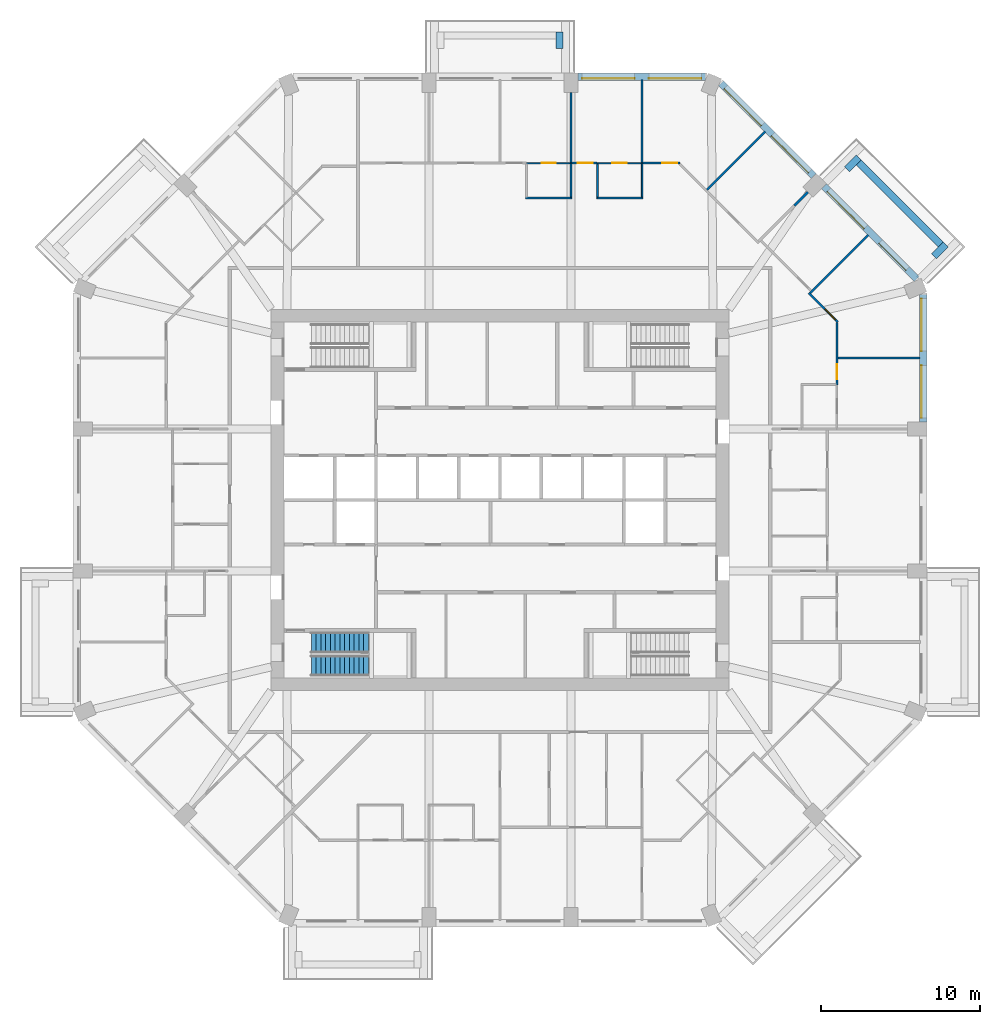
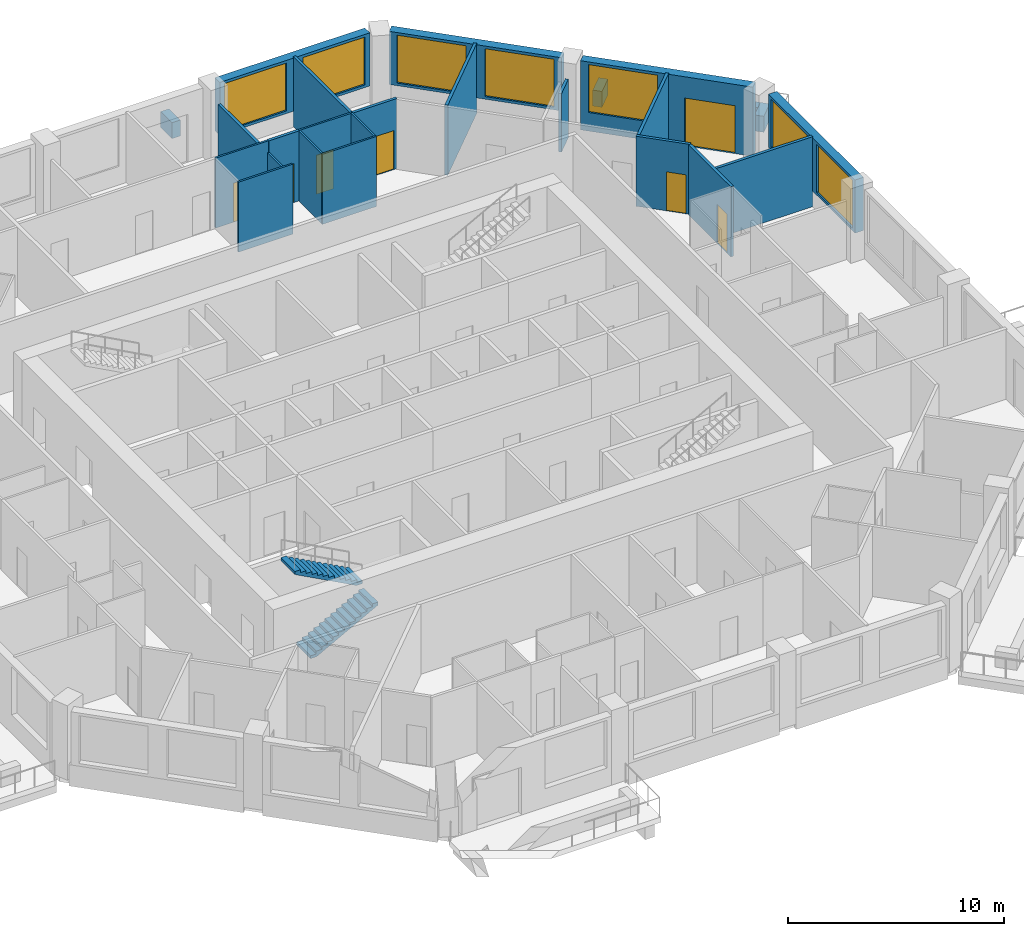
# One storey, part 10 of 12: 25 walls, 7 doors, 7 windows, 2 stair flights, 14 openings, 1 element without a shape of its own.
"""IFC4 building model written with IfcOpenShell, lengths in metres."""

from ifc_helpers import new_model, si_unit, direction, frame, frame_2d, origin, place, context, subcontext, project, spatial, polyline, rectangle, outline, extrude, material, layer, layer_set, type_object, element, fill, aggregate, save


model = new_model("IFC4")

# Units and contexts
model_context = context("Model", 3, precision=1e-05, world=origin(), true_north=direction((0.0, 1.0)))
body_context = subcontext(model_context, "Body", "Model", "MODEL_VIEW")
ifc_project = project(units=[si_unit("LENGTHUNIT", "METRE"), si_unit("AREAUNIT", "SQUARE_METRE"), si_unit("VOLUMEUNIT", "CUBIC_METRE"), si_unit("PLANEANGLEUNIT", "RADIAN"), si_unit("MASSUNIT", "GRAM", prefix="KILO")], contexts=[model_context])

# Site, building, storey
site_placement = place(None, origin())
site = spatial("IfcSite", under=ifc_project, at=site_placement, CompositionType="ELEMENT")
building_placement = place(site_placement, origin())
building = spatial("IfcBuilding", under=site, at=building_placement, Name="Msitu Wima Residences", CompositionType="ELEMENT")
storey_placement = place(building_placement, frame((0.0, 0.0, 127.5)))
storey = spatial("IfcBuildingStorey", under=building, at=storey_placement, Name="L29", CompositionType="ELEMENT", Elevation=127.5)

# Walls
ifc_material_1 = material(Name="Facing brick")
ifc_layer_1 = layer(ifc_material_1, 0.06494140625, Name="Facing brick")
ifc_material_2 = material(Name="Concrete C40/50", Category="concrete")
ifc_layer_2 = layer(ifc_material_2, 0.156005859375, Name="Concrete C40/50")
ifc_material_3 = material(Name="Waterproofing membrane")
ifc_layer_3 = layer(ifc_material_3, 0.00390625, Name="Waterproofing membrane")
ifc_material_4 = material(Name="Planting soil and planting")
ifc_layer_4 = layer(ifc_material_4, 0.22509765625, Name="Planting soil and planting")
ifc_layer_set_1 = layer_set([ifc_layer_1, ifc_layer_2, ifc_layer_3, ifc_layer_4], Name="Concrete C40/50")
wall_type_1 = type_object("IfcWallType", Name="Balcony planter PLANTER PL450", PredefinedType="USERDEFINED", material=ifc_layer_set_1)
wall_1_placement = place(storey_placement, frame((27.725830078125, 16.0751953125, 0.0), z_axis=(0.0, 0.0, 1.0), x_axis=(-0.707106781187, 0.707106781187, 0.0)))
element("IfcWall", 1, at=wall_1_placement, inside=storey, type_object=wall_type_1, Name="Balcony planter NE0 L29", ObjectType="PLANTER", PredefinedType="USERDEFINED", context=body_context, shape_type="SweptSolid", body=[
    extrude(rectangle(XDim=7.288330078125, YDim=0.449951171875, at=frame_2d((3.64404296875, 0.0))), origin(), (0.0, 0.0, 1.0), 0.89990234375),
])
for number, where, z_axis, x_axis, name in (
    (2, (27.301513671875, 15.332763671875, 0.0), (0.0, 0.0, 1.0), (0.707106781187, 0.707106781187, 0.0), "Balcony planter NE0 L29"),
    (3, (21.829833984375, 20.804443359375, 0.0), (0.0, 0.0, 1.0), (0.707106781187, 0.707106781187, 0.0), "Balcony planter NE0 L29"),
    (4, (3.74365234375, 28.39990234375, 0.0), (0.0, 0.0, 1.0), (0.0, 1.0, 0.0), "Balcony planter N1 L29"),
):
    element("IfcWall", number, at=place(storey_placement, frame(where, z_axis=z_axis, x_axis=x_axis)), inside=storey, type_object=wall_type_1, Name=name, ObjectType="PLANTER", PredefinedType="USERDEFINED", context=body_context, shape_type="SweptSolid", body=[
        extrude(rectangle(XDim=1.050048828125, YDim=0.449951171875, at=frame_2d((0.52490234375, 0.0))), origin(), (0.0, 0.0, 1.0), 0.89990234375),
    ])

# Wall, openings, windows
ifc_material_5 = material(Name="Brick (red buff mix)", Category="masonry")
ifc_layer_5 = layer(ifc_material_5, 0.449951171875)
ifc_layer_set_2 = layer_set([ifc_layer_5], Name="Brick (red buff mix)")
wall_type_2 = type_object("IfcWallType", Name="Brick infill wall BW450", PredefinedType="SOLIDWALL", material=ifc_layer_set_2)
wall_2_placement = place(storey_placement, frame((26.625, 4.918701171875, 0.89990234375), z_axis=(0.0, 0.0, 1.0), x_axis=(0.0, 1.0, 0.0)))
wall_2 = element("IfcWall", 5, at=wall_2_placement, inside=storey, type_object=wall_type_2, Name="Brick infill wall L29 E2", PredefinedType="SOLIDWALL", context=body_context, shape_type="SweptSolid", body=[
    extrude(rectangle(XDim=8.0, YDim=0.449951171875, at=frame_2d((4.0, 0.0))), origin(), (0.0, 0.0, 1.0), 3.0),
])
opening_1_placement = place(wall_2_placement, frame((0.25, 0.0, 0.14990234375)))
opening_1 = element("IfcOpeningElement", 6, at=opening_1_placement, cuts=wall_2, Name="Opening W27-29.004", PredefinedType="OPENING", context=body_context, shape_type="SweptSolid", body=[
    extrude(rectangle(XDim=3.300048828125, YDim=2.699951171875, at=frame_2d((1.64990234375, 1.35009765625))), frame((0.0, 0.23486328125, 0.0), z_axis=(0.0, -1.0, 0.0), x_axis=(1.0, 0.0, 0.0)), (0.0, 0.0, 1.0), 0.469970703125),
])
opening_2_placement = place(wall_2_placement, frame((4.4501953125, 0.0, 0.14990234375)))
opening_2 = element("IfcOpeningElement", 7, at=opening_2_placement, cuts=wall_2, Name="Opening W27-29.005", PredefinedType="OPENING", context=body_context, shape_type="SweptSolid", body=[
    extrude(rectangle(XDim=3.300048828125, YDim=2.699951171875, at=frame_2d((1.64990234375, 1.35009765625))), frame((0.0, 0.23486328125, 0.0), z_axis=(0.0, -1.0, 0.0), x_axis=(1.0, 0.0, 0.0)), (0.0, 0.0, 1.0), 0.469970703125),
])
ifc_material_6 = material(Name="Anodised aluminium, bronze finish, clear low-emissivity double glazing", Category="aluminium")
window_type = type_object("IfcWindowType", Name="Window W3300x2700", PartitioningType="DOUBLE_PANEL_VERTICAL", PredefinedType="WINDOW", material=ifc_material_6)
window_1_placement = place(opening_1_placement, origin())
window_1 = element("IfcWindow", 8, at=window_1_placement, inside=storey, type_object=window_type, Name="Window L29 E2.1", OverallHeight=2.699951171875, OverallWidth=3.300048828125, PartitioningType="SINGLE_PANEL", PredefinedType="WINDOW", context=body_context, shape_type="SweptSolid", body=[
    extrude(rectangle(XDim=3.300048828125, YDim=2.699951171875, at=frame_2d((1.64990234375, 1.35009765625))), frame((0.0, 0.135009765625, 0.0), z_axis=(0.0, -1.0, 0.0), x_axis=(1.0, 0.0, 0.0)), (0.0, 0.0, 1.0), 0.06005859375),
])
fill(opening_1, window_1)
window_2_placement = place(opening_2_placement, origin())
window_2 = element("IfcWindow", 9, at=window_2_placement, inside=storey, type_object=window_type, Name="Window L29 E2.2", OverallHeight=2.699951171875, OverallWidth=3.300048828125, PartitioningType="SINGLE_PANEL", PredefinedType="WINDOW", context=body_context, shape_type="SweptSolid", body=[
    extrude(rectangle(XDim=3.300048828125, YDim=2.699951171875, at=frame_2d((1.64990234375, 1.35009765625))), frame((0.0, 0.135009765625, 0.0), z_axis=(0.0, -1.0, 0.0), x_axis=(1.0, 0.0, 0.0)), (0.0, 0.0, 1.0), 0.06005859375),
])
fill(opening_2, window_2)

# Wall, openings, door, window
wall_3_placement = place(storey_placement, frame((26.214599609375, 13.909423828125, 0.0), z_axis=(0.0, 0.0, 1.0), x_axis=(-0.707106781187, 0.707106781187, 0.0)))
wall_3 = element("IfcWall", 10, at=wall_3_placement, inside=storey, type_object=wall_type_2, Name="Brick infill wall L29 NE0", PredefinedType="SOLIDWALL", context=body_context, shape_type="SweptSolid", body=[
    extrude(rectangle(XDim=8.251220703125, YDim=0.449951171875, at=frame_2d((4.12548828125, 0.0))), origin(), (0.0, 0.0, 1.0), 3.89990234375),
])
opening_3_placement = place(wall_3_placement, frame((0.86279296875, 0.0, 0.0)))
opening_3 = element("IfcOpeningElement", 11, at=opening_3_placement, cuts=wall_3, Name="Opening D27-29.003", PredefinedType="OPENING", context=body_context, shape_type="SweptSolid", body=[
    extrude(rectangle(XDim=2.39990234375, YDim=2.699951171875, at=frame_2d((1.199951171875, 1.35009765625))), frame((0.0, 0.23486328125, 0.0), z_axis=(0.0, -1.0, 0.0), x_axis=(1.0, 0.0, 0.0)), (0.0, 0.0, 1.0), 0.469970703125),
])
opening_4_placement = place(wall_3_placement, frame((4.57568359375, 0.0, 1.050048828125)))
opening_4 = element("IfcOpeningElement", 12, at=opening_4_placement, cuts=wall_3, Name="Opening W27-29.011", PredefinedType="OPENING", context=body_context, shape_type="SweptSolid", body=[
    extrude(rectangle(XDim=3.300048828125, YDim=2.699951171875, at=frame_2d((1.64990234375, 1.35009765625))), frame((0.0, 0.23486328125, 0.0), z_axis=(0.0, -1.0, 0.0), x_axis=(1.0, 0.0, 0.0)), (0.0, 0.0, 1.0), 0.469970703125),
])
door_type_1 = type_object("IfcDoorType", Name="Balcony door D2400x2700", OperationType="SLIDING_TO_LEFT", PredefinedType="DOOR", material=ifc_material_6)
door_1_placement = place(opening_3_placement, origin())
door_1 = element("IfcDoor", 13, at=door_1_placement, inside=storey, type_object=door_type_1, Name="Balcony door L29 NE0", OperationType="SINGLE_SWING_LEFT", OverallHeight=2.699951171875, OverallWidth=2.39990234375, PredefinedType="DOOR", context=body_context, shape_type="SweptSolid", body=[
    extrude(rectangle(XDim=2.39990234375, YDim=2.699951171875, at=frame_2d((1.199951171875, 1.35009765625))), frame((0.0, 0.1298828125, 0.0), z_axis=(0.0, -1.0, 0.0), x_axis=(1.0, 0.0, 0.0)), (0.0, 0.0, 1.0), 0.050048828125),
])
fill(opening_3, door_1)
window_3_placement = place(opening_4_placement, origin())
window_3 = element("IfcWindow", 14, at=window_3_placement, inside=storey, type_object=window_type, Name="Window L29 NE0.2", OverallHeight=2.699951171875, OverallWidth=3.300048828125, PartitioningType="SINGLE_PANEL", PredefinedType="WINDOW", context=body_context, shape_type="SweptSolid", body=[
    extrude(rectangle(XDim=3.300048828125, YDim=2.699951171875, at=frame_2d((1.64990234375, 1.35009765625))), frame((0.0, 0.135009765625, 0.0), z_axis=(0.0, -1.0, 0.0), x_axis=(1.0, 0.0, 0.0)), (0.0, 0.0, 1.0), 0.06005859375),
])
fill(opening_4, window_3)

# Wall, openings, windows
wall_4_placement = place(storey_placement, frame((19.743896484375, 20.380126953125, 0.89990234375), z_axis=(0.0, 0.0, 1.0), x_axis=(-0.707106781187, 0.707106781187, 0.0)))
wall_4 = element("IfcWall", 15, at=wall_4_placement, inside=storey, type_object=wall_type_2, Name="Brick infill wall L29 NE1", PredefinedType="SOLIDWALL", context=body_context, shape_type="SweptSolid", body=[
    extrude(rectangle(XDim=8.251220703125, YDim=0.449951171875, at=frame_2d((4.12548828125, 0.0))), origin(), (0.0, 0.0, 1.0), 3.0),
])
opening_5_placement = place(wall_4_placement, frame((0.37548828125, 0.0, 0.14990234375)))
opening_5 = element("IfcOpeningElement", 16, at=opening_5_placement, cuts=wall_4, Name="Opening W27-29.012", PredefinedType="OPENING", context=body_context, shape_type="SweptSolid", body=[
    extrude(rectangle(XDim=3.300048828125, YDim=2.699951171875, at=frame_2d((1.64990234375, 1.35009765625))), frame((0.0, 0.23486328125, 0.0), z_axis=(0.0, -1.0, 0.0), x_axis=(1.0, 0.0, 0.0)), (0.0, 0.0, 1.0), 0.469970703125),
])
opening_6_placement = place(wall_4_placement, frame((4.57568359375, 0.0, 0.14990234375)))
opening_6 = element("IfcOpeningElement", 17, at=opening_6_placement, cuts=wall_4, Name="Opening W27-29.013", PredefinedType="OPENING", context=body_context, shape_type="SweptSolid", body=[
    extrude(rectangle(XDim=3.300048828125, YDim=2.699951171875, at=frame_2d((1.64990234375, 1.35009765625))), frame((0.0, 0.23486328125, 0.0), z_axis=(0.0, -1.0, 0.0), x_axis=(1.0, 0.0, 0.0)), (0.0, 0.0, 1.0), 0.469970703125),
])
window_4_placement = place(opening_5_placement, origin())
window_4 = element("IfcWindow", 18, at=window_4_placement, inside=storey, type_object=window_type, Name="Window L29 NE1.1", OverallHeight=2.699951171875, OverallWidth=3.300048828125, PartitioningType="SINGLE_PANEL", PredefinedType="WINDOW", context=body_context, shape_type="SweptSolid", body=[
    extrude(rectangle(XDim=3.300048828125, YDim=2.699951171875, at=frame_2d((1.64990234375, 1.35009765625))), frame((0.0, 0.135009765625, 0.0), z_axis=(0.0, -1.0, 0.0), x_axis=(1.0, 0.0, 0.0)), (0.0, 0.0, 1.0), 0.06005859375),
])
fill(opening_5, window_4)
window_5_placement = place(opening_6_placement, origin())
window_5 = element("IfcWindow", 19, at=window_5_placement, inside=storey, type_object=window_type, Name="Window L29 NE1.2", OverallHeight=2.699951171875, OverallWidth=3.300048828125, PartitioningType="SINGLE_PANEL", PredefinedType="WINDOW", context=body_context, shape_type="SweptSolid", body=[
    extrude(rectangle(XDim=3.300048828125, YDim=2.699951171875, at=frame_2d((1.64990234375, 1.35009765625))), frame((0.0, 0.135009765625, 0.0), z_axis=(0.0, -1.0, 0.0), x_axis=(1.0, 0.0, 0.0)), (0.0, 0.0, 1.0), 0.06005859375),
])
fill(opening_6, window_5)

wall_5_placement = place(storey_placement, frame((12.918701171875, 26.625, 0.89990234375), z_axis=(0.0, 0.0, 1.0), x_axis=(-1.0, 0.0, 0.0)))
wall_5 = element("IfcWall", 20, at=wall_5_placement, inside=storey, type_object=wall_type_2, Name="Brick infill wall L29 N0", PredefinedType="SOLIDWALL", context=body_context, shape_type="SweptSolid", body=[
    extrude(rectangle(XDim=8.0, YDim=0.449951171875, at=frame_2d((4.0, 0.0))), origin(), (0.0, 0.0, 1.0), 3.0),
])
opening_7_placement = place(wall_5_placement, frame((0.25, 0.0, 0.14990234375)))
opening_7 = element("IfcOpeningElement", 21, at=opening_7_placement, cuts=wall_5, Name="Opening W27-29.006", PredefinedType="OPENING", context=body_context, shape_type="SweptSolid", body=[
    extrude(rectangle(XDim=3.300048828125, YDim=2.699951171875, at=frame_2d((1.64990234375, 1.35009765625))), frame((0.0, 0.23486328125, 0.0), z_axis=(0.0, -1.0, 0.0), x_axis=(1.0, 0.0, 0.0)), (0.0, 0.0, 1.0), 0.469970703125),
])
opening_8_placement = place(wall_5_placement, frame((4.4501953125, 0.0, 0.14990234375)))
opening_8 = element("IfcOpeningElement", 22, at=opening_8_placement, cuts=wall_5, Name="Opening W27-29.007", PredefinedType="OPENING", context=body_context, shape_type="SweptSolid", body=[
    extrude(rectangle(XDim=3.300048828125, YDim=2.699951171875, at=frame_2d((1.64990234375, 1.35009765625))), frame((0.0, 0.23486328125, 0.0), z_axis=(0.0, -1.0, 0.0), x_axis=(1.0, 0.0, 0.0)), (0.0, 0.0, 1.0), 0.469970703125),
])
window_6_placement = place(opening_7_placement, origin())
window_6 = element("IfcWindow", 23, at=window_6_placement, inside=storey, type_object=window_type, Name="Window L29 N0.1", OverallHeight=2.699951171875, OverallWidth=3.300048828125, PartitioningType="SINGLE_PANEL", PredefinedType="WINDOW", context=body_context, shape_type="SweptSolid", body=[
    extrude(rectangle(XDim=3.300048828125, YDim=2.699951171875, at=frame_2d((1.64990234375, 1.35009765625))), frame((0.0, 0.135009765625, 0.0), z_axis=(0.0, -1.0, 0.0), x_axis=(1.0, 0.0, 0.0)), (0.0, 0.0, 1.0), 0.06005859375),
])
fill(opening_7, window_6)
window_7_placement = place(opening_8_placement, origin())
window_7 = element("IfcWindow", 24, at=window_7_placement, inside=storey, type_object=window_type, Name="Window L29 N0.2", OverallHeight=2.699951171875, OverallWidth=3.300048828125, PartitioningType="SINGLE_PANEL", PredefinedType="WINDOW", context=body_context, shape_type="SweptSolid", body=[
    extrude(rectangle(XDim=3.300048828125, YDim=2.699951171875, at=frame_2d((1.64990234375, 1.35009765625))), frame((0.0, 0.135009765625, 0.0), z_axis=(0.0, -1.0, 0.0), x_axis=(1.0, 0.0, 0.0)), (0.0, 0.0, 1.0), 0.06005859375),
])
fill(opening_8, window_7)

# Wall
ifc_material_7 = material(Name="Plaster")
ifc_layer_6 = layer(ifc_material_7, 0.011962890625, Name="Plaster")
ifc_material_8 = material(Name="Concrete blockwork", Category="masonry")
ifc_layer_7 = layer(ifc_material_8, 0.1259765625, Name="Concrete blockwork")
ifc_layer_8 = layer(ifc_material_7, 0.011962890625, Name="Plaster")
ifc_layer_set_3 = layer_set([ifc_layer_6, ifc_layer_7, ifc_layer_8], Name="Concrete blockwork")
wall_type_3 = type_object("IfcWallType", Name="Partition PW150", PredefinedType="PARTITIONING", material=ifc_layer_set_3)
wall_6_placement = place(storey_placement, frame((4.46875, 21.179931640625, 0.0), z_axis=(0.0, 0.0, 1.0), x_axis=(0.0, 1.0, 0.0)))
element("IfcWall", 25, at=wall_6_placement, inside=storey, type_object=wall_type_3, Name="Partition", PredefinedType="PARTITIONING", context=body_context, shape_type="SweptSolid", body=[
    extrude(rectangle(XDim=4.469970703125, YDim=0.14990234375, at=frame_2d((2.23486328125, 0.0))), origin(), (0.0, 0.0, 1.0), 3.300048828125),
])

# Wall, opening, door
wall_7_placement = place(storey_placement, frame((4.488525390625, 21.199951171875, 0.0), z_axis=(0.0, 0.0, 1.0), x_axis=(1.0, 0.0, 0.0)))
wall_7 = element("IfcWall", 26, at=wall_7_placement, inside=storey, type_object=wall_type_3, Name="Partition", PredefinedType="PARTITIONING", context=body_context, shape_type="SweptSolid", body=[
    extrude(rectangle(XDim=1.628662109375, YDim=0.14990234375, at=frame_2d((0.814453125, 0.0))), origin(), (0.0, 0.0, 1.0), 3.949951171875),
])
opening_9_placement = place(wall_7_placement, frame((0.39990234375, 0.0, 0.0)))
opening_9 = element("IfcOpeningElement", 27, at=opening_9_placement, cuts=wall_7, Name="Opening D27-29.081", PredefinedType="OPENING", context=body_context, shape_type="SweptSolid", body=[
    extrude(rectangle(XDim=0.949951171875, YDim=2.199951171875, at=frame_2d((0.47509765625, 1.10009765625))), frame((0.0, 0.0849609375, 0.0), z_axis=(0.0, -1.0, 0.0), x_axis=(1.0, 0.0, 0.0)), (0.0, 0.0, 1.0), 0.169921875),
])
ifc_material_9 = material(Name="Timber flush door", Category="wood")
door_type_2 = type_object("IfcDoorType", Name="Room door D12 950x2200", OperationType="SINGLE_SWING_LEFT", PredefinedType="DOOR", material=ifc_material_9)
door_2_placement = place(opening_9_placement, origin())
door_2 = element("IfcDoor", 28, at=door_2_placement, inside=storey, type_object=door_type_2, Name="Room door", OperationType="SINGLE_SWING_LEFT", OverallHeight=2.199951171875, OverallWidth=0.949951171875, PredefinedType="DOOR", context=body_context, shape_type="SweptSolid", body=[
    extrude(rectangle(XDim=0.949951171875, YDim=2.199951171875, at=frame_2d((0.47509765625, 1.10009765625))), frame((0.0, 0.02490234375, 0.0), z_axis=(0.0, -1.0, 0.0), x_axis=(1.0, 0.0, 0.0)), (0.0, 0.0, 1.0), 0.050048828125),
])
fill(opening_9, door_2)

# Wall
wall_8_placement = place(storey_placement, frame((8.937255859375, 21.179931640625, 0.0), z_axis=(0.0, 0.0, 1.0), x_axis=(0.0, 1.0, 0.0)))
element("IfcWall", 29, at=wall_8_placement, inside=storey, type_object=wall_type_3, Name="Partition", PredefinedType="PARTITIONING", context=body_context, shape_type="SweptSolid", body=[
    extrude(rectangle(XDim=5.275146484375, YDim=0.14990234375, at=frame_2d((2.6376953125, 0.0))), origin(), (0.0, 0.0, 1.0), 3.949951171875),
])

# Wall, opening, door
wall_9_placement = place(storey_placement, frame((8.957275390625, 21.199951171875, 0.0), z_axis=(0.0, 0.0, 1.0), x_axis=(1.0, 0.0, 0.0)))
wall_9 = element("IfcWall", 30, at=wall_9_placement, inside=storey, type_object=wall_type_3, Name="Partition", PredefinedType="PARTITIONING", context=body_context, shape_type="SweptSolid", body=[
    extrude(rectangle(XDim=2.36962890625, YDim=0.14990234375, at=frame_2d((1.184814453125, 0.0))), origin(), (0.0, 0.0, 1.0), 3.949951171875),
])
opening_10_placement = place(wall_9_placement, frame((1.25, 0.0, 0.0)))
opening_10 = element("IfcOpeningElement", 31, at=opening_10_placement, cuts=wall_9, Name="Opening D27-29.042", PredefinedType="OPENING", context=body_context, shape_type="SweptSolid", body=[
    extrude(rectangle(XDim=0.949951171875, YDim=2.199951171875, at=frame_2d((0.47509765625, 1.10009765625))), frame((0.0, 0.0849609375, 0.0), z_axis=(0.0, -1.0, 0.0), x_axis=(1.0, 0.0, 0.0)), (0.0, 0.0, 1.0), 0.169921875),
])
door_3_placement = place(opening_10_placement, origin())
door_3 = element("IfcDoor", 32, at=door_3_placement, inside=storey, type_object=door_type_2, Name="Room door", OperationType="SINGLE_SWING_LEFT", OverallHeight=2.199951171875, OverallWidth=0.949951171875, PredefinedType="DOOR", context=body_context, shape_type="SweptSolid", body=[
    extrude(rectangle(XDim=0.949951171875, YDim=2.199951171875, at=frame_2d((0.47509765625, 1.10009765625))), frame((0.0, 0.02490234375, 0.0), z_axis=(0.0, -1.0, 0.0), x_axis=(1.0, 0.0, 0.0)), (0.0, 0.0, 1.0), 0.050048828125),
])
fill(opening_10, door_3)

# Walls
wall_10_placement = place(storey_placement, frame((13.030517578125, 19.527587890625, 0.0), z_axis=(0.0, 0.0, 1.0), x_axis=(0.707106781187, 0.707106781187, 0.0)))
element("IfcWall", 33, at=wall_10_placement, inside=storey, type_object=wall_type_3, Name="Partition", PredefinedType="PARTITIONING", context=body_context, shape_type="SweptSolid", body=[
    extrude(rectangle(XDim=5.179931640625, YDim=0.14990234375, at=frame_2d((2.58984375, 0.0))), origin(), (0.0, 0.0, 1.0), 3.949951171875),
])
wall_11_placement = place(storey_placement, frame((18.517578125, 18.517578125, 0.0), z_axis=(0.0, 0.0, 1.0), x_axis=(0.707106781187, 0.707106781187, 0.0)))
element("IfcWall", 34, at=wall_11_placement, inside=storey, type_object=wall_type_3, Name="Partition", PredefinedType="PARTITIONING", context=body_context, shape_type="SweptSolid", body=[
    extrude(rectangle(XDim=1.209228515625, YDim=0.14990234375, at=frame_2d((0.6044921875, 0.0))), origin(), (0.0, 0.0, 1.0), 3.300048828125),
])

# Wall, opening, door
wall_12_placement = place(storey_placement, frame((19.42138671875, 13.030517578125, 0.0), z_axis=(0.0, 0.0, 1.0), x_axis=(0.707106781187, -0.707106781187, 0.0)))
wall_12 = element("IfcWall", 35, at=wall_12_placement, inside=storey, type_object=wall_type_3, Name="Partition", PredefinedType="PARTITIONING", context=body_context, shape_type="SweptSolid", body=[
    extrude(rectangle(XDim=2.590087890625, YDim=0.14990234375, at=frame_2d((1.294921875, 0.0))), origin(), (0.0, 0.0, 1.0), 3.949951171875),
])
opening_11_placement = place(wall_12_placement, frame((1.449951171875, 0.0, 0.0)))
opening_11 = element("IfcOpeningElement", 36, at=opening_11_placement, cuts=wall_12, Name="Opening D27-29.043", PredefinedType="OPENING", context=body_context, shape_type="SweptSolid", body=[
    extrude(rectangle(XDim=0.949951171875, YDim=2.199951171875, at=frame_2d((0.47509765625, 1.10009765625))), frame((0.0, 0.0849609375, 0.0), z_axis=(0.0, -1.0, 0.0), x_axis=(1.0, 0.0, 0.0)), (0.0, 0.0, 1.0), 0.169921875),
])
door_4_placement = place(opening_11_placement, origin())
door_4 = element("IfcDoor", 37, at=door_4_placement, inside=storey, type_object=door_type_2, Name="Room door", OperationType="SINGLE_SWING_LEFT", OverallHeight=2.199951171875, OverallWidth=0.949951171875, PredefinedType="DOOR", context=body_context, shape_type="SweptSolid", body=[
    extrude(rectangle(XDim=0.949951171875, YDim=2.199951171875, at=frame_2d((0.47509765625, 1.10009765625))), frame((0.0, 0.02490234375, 0.0), z_axis=(0.0, -1.0, 0.0), x_axis=(1.0, 0.0, 0.0)), (0.0, 0.0, 1.0), 0.050048828125),
])
fill(opening_11, door_4)

# Wall
wall_13_placement = place(storey_placement, frame((19.527587890625, 13.030517578125, 0.0), z_axis=(0.0, 0.0, 1.0), x_axis=(0.707106781187, 0.707106781187, 0.0)))
element("IfcWall", 38, at=wall_13_placement, inside=storey, type_object=wall_type_3, Name="Partition", PredefinedType="PARTITIONING", context=body_context, shape_type="SweptSolid", body=[
    extrude(rectangle(XDim=5.14990234375, YDim=0.14990234375, at=frame_2d((2.574951171875, 0.0))), origin(), (0.0, 0.0, 1.0), 3.949951171875),
])

# Wall, opening, door
wall_14_placement = place(storey_placement, frame((21.199951171875, 7.24853515625, 0.0), z_axis=(0.0, 0.0, 1.0), x_axis=(0.0, 1.0, 0.0)))
wall_14 = element("IfcWall", 39, at=wall_14_placement, inside=storey, type_object=wall_type_3, Name="Partition", PredefinedType="PARTITIONING", context=body_context, shape_type="SweptSolid", body=[
    extrude(rectangle(XDim=3.928466796875, YDim=0.14990234375, at=frame_2d((1.96435546875, 0.0))), origin(), (0.0, 0.0, 1.0), 3.949951171875),
])
opening_12_placement = place(wall_14_placement, frame((0.35009765625, 0.0, 0.0)))
opening_12 = element("IfcOpeningElement", 40, at=opening_12_placement, cuts=wall_14, Name="Opening D27-29.088", PredefinedType="OPENING", context=body_context, shape_type="SweptSolid", body=[
    extrude(rectangle(XDim=0.949951171875, YDim=2.199951171875, at=frame_2d((0.47509765625, 1.10009765625))), frame((0.0, 0.0849609375, 0.0), z_axis=(0.0, -1.0, 0.0), x_axis=(1.0, 0.0, 0.0)), (0.0, 0.0, 1.0), 0.169921875),
])
door_5_placement = place(opening_12_placement, origin())
door_5 = element("IfcDoor", 41, at=door_5_placement, inside=storey, type_object=door_type_2, Name="Room door", OperationType="SINGLE_SWING_LEFT", OverallHeight=2.199951171875, OverallWidth=0.949951171875, PredefinedType="DOOR", context=body_context, shape_type="SweptSolid", body=[
    extrude(rectangle(XDim=0.949951171875, YDim=2.199951171875, at=frame_2d((0.47509765625, 1.10009765625))), frame((0.0, 0.02490234375, 0.0), z_axis=(0.0, -1.0, 0.0), x_axis=(1.0, 0.0, 0.0)), (0.0, 0.0, 1.0), 0.050048828125),
])
fill(opening_12, door_5)

# Wall
wall_15_placement = place(storey_placement, frame((21.27490234375, 8.937255859375, 0.0), z_axis=(0.0, 0.0, 1.0), x_axis=(1.0, 0.0, 0.0)))
element("IfcWall", 42, at=wall_15_placement, inside=storey, type_object=wall_type_3, Name="Partition", PredefinedType="PARTITIONING", context=body_context, shape_type="SweptSolid", body=[
    extrude(rectangle(XDim=5.150146484375, YDim=0.14990234375, at=frame_2d((2.5751953125, 0.0))), origin(), (0.0, 0.0, 1.0), 3.949951171875),
])

# Wall, opening, door
ifc_material_10 = material(Name="Ceramic tiles")
ifc_layer_9 = layer(ifc_material_10, 0.008056640625, Name="Ceramic tiles")
ifc_material_11 = material(Name="Moisture-resistant board")
ifc_layer_10 = layer(ifc_material_11, 0.012451171875, Name="Moisture-resistant board")
ifc_material_12 = material(Name="Light-gauge stud framing with mineral wool")
ifc_layer_11 = layer(ifc_material_12, 0.06689453125, Name="Light-gauge stud framing with mineral wool")
ifc_layer_12 = layer(ifc_material_11, 0.012451171875, Name="Moisture-resistant board")
ifc_layer_set_4 = layer_set([ifc_layer_9, ifc_layer_10, ifc_layer_11, ifc_layer_12], Name="Light-gauge stud framing with mineral wool")
wall_type_4 = type_object("IfcWallType", Name="Wet wall PW100", PredefinedType="PARTITIONING", material=ifc_layer_set_4)
wall_16_placement = place(storey_placement, frame((1.668701171875, 21.199951171875, 0.0), z_axis=(0.0, 0.0, 1.0), x_axis=(1.0, 0.0, 0.0)))
wall_16 = element("IfcWall", 43, at=wall_16_placement, inside=storey, type_object=wall_type_4, Name="Wet wall", PredefinedType="PARTITIONING", context=body_context, shape_type="SweptSolid", body=[
    extrude(rectangle(XDim=2.81982421875, YDim=0.10009765625, at=frame_2d((1.409912109375, 0.0))), origin(), (0.0, 0.0, 1.0), 3.949951171875),
])
opening_13_placement = place(wall_16_placement, frame((0.949951171875, 0.0, 0.0)))
opening_13 = element("IfcOpeningElement", 44, at=opening_13_placement, cuts=wall_16, Name="Opening D27-29.087", PredefinedType="OPENING", context=body_context, shape_type="SweptSolid", body=[
    extrude(rectangle(XDim=0.89990234375, YDim=2.199951171875, at=frame_2d((0.449951171875, 1.10009765625))), frame((0.0, 0.06005859375, 0.0), z_axis=(0.0, -1.0, 0.0), x_axis=(1.0, 0.0, 0.0)), (0.0, 0.0, 1.0), 0.1201171875),
])
ifc_material_13 = material(Name="Timber flush door, moisture resistant", Category="wood")
door_type_3 = type_object("IfcDoorType", Name="Bathroom door D03 900x2200", OperationType="SINGLE_SWING_LEFT", PredefinedType="DOOR", material=ifc_material_13)
door_6_placement = place(opening_13_placement, origin())
door_6 = element("IfcDoor", 45, at=door_6_placement, inside=storey, type_object=door_type_3, Name="Bathroom door", OperationType="SINGLE_SWING_RIGHT", OverallHeight=2.199951171875, OverallWidth=0.89990234375, PredefinedType="DOOR", context=body_context, shape_type="SweptSolid", body=[
    extrude(rectangle(XDim=0.89990234375, YDim=2.199951171875, at=frame_2d((0.449951171875, 1.10009765625))), frame((0.0, 0.02490234375, 0.0), z_axis=(0.0, -1.0, 0.0), x_axis=(1.0, 0.0, 0.0)), (0.0, 0.0, 1.0), 0.050048828125),
])
fill(opening_13, door_6)

# Walls
wall_17_placement = place(storey_placement, frame((1.61865234375, 19.0, 0.0), z_axis=(0.0, 0.0, 1.0), x_axis=(1.0, 0.0, 0.0)))
element("IfcWall", 46, at=wall_17_placement, inside=storey, type_object=wall_type_4, Name="Wet wall", PredefinedType="PARTITIONING", context=body_context, shape_type="SweptSolid", body=[
    extrude(rectangle(XDim=2.89990234375, YDim=0.10009765625, at=frame_2d((1.449951171875, 0.0))), origin(), (0.0, 0.0, 1.0), 3.949951171875),
])
wall_18_placement = place(storey_placement, frame((4.46875, 19.050048828125, 0.0), z_axis=(0.0, 0.0, 1.0), x_axis=(0.0, 1.0, 0.0)))
element("IfcWall", 47, at=wall_18_placement, inside=storey, type_object=wall_type_4, Name="Wet wall", PredefinedType="PARTITIONING", context=body_context, shape_type="SweptSolid", body=[
    extrude(rectangle(XDim=2.1298828125, YDim=0.10009765625, at=frame_2d((1.06494140625, 0.0))), origin(), (0.0, 0.0, 1.0), 3.300048828125),
])

# Wall, opening, door
wall_19_placement = place(storey_placement, frame((6.1171875, 21.199951171875, 0.0), z_axis=(0.0, 0.0, 1.0), x_axis=(1.0, 0.0, 0.0)))
wall_19 = element("IfcWall", 48, at=wall_19_placement, inside=storey, type_object=wall_type_4, Name="Wet wall", PredefinedType="PARTITIONING", context=body_context, shape_type="SweptSolid", body=[
    extrude(rectangle(XDim=2.840087890625, YDim=0.10009765625, at=frame_2d((1.419921875, 0.0))), origin(), (0.0, 0.0, 1.0), 3.949951171875),
])
opening_14_placement = place(wall_19_placement, frame((0.949951171875, 0.0, 0.0)))
opening_14 = element("IfcOpeningElement", 49, at=opening_14_placement, cuts=wall_19, Name="Opening D27-29.085", PredefinedType="OPENING", context=body_context, shape_type="SweptSolid", body=[
    extrude(rectangle(XDim=0.89990234375, YDim=2.199951171875, at=frame_2d((0.449951171875, 1.10009765625))), frame((0.0, 0.06005859375, 0.0), z_axis=(0.0, -1.0, 0.0), x_axis=(1.0, 0.0, 0.0)), (0.0, 0.0, 1.0), 0.1201171875),
])
door_7_placement = place(opening_14_placement, origin())
door_7 = element("IfcDoor", 50, at=door_7_placement, inside=storey, type_object=door_type_3, Name="Bathroom door", OperationType="SINGLE_SWING_RIGHT", OverallHeight=2.199951171875, OverallWidth=0.89990234375, PredefinedType="DOOR", context=body_context, shape_type="SweptSolid", body=[
    extrude(rectangle(XDim=0.89990234375, YDim=2.199951171875, at=frame_2d((0.449951171875, 1.10009765625))), frame((0.0, 0.02490234375, 0.0), z_axis=(0.0, -1.0, 0.0), x_axis=(1.0, 0.0, 0.0)), (0.0, 0.0, 1.0), 0.050048828125),
])
fill(opening_14, door_7)

# Walls
wall_20_placement = place(storey_placement, frame((6.13720703125, 19.050048828125, 0.0), z_axis=(0.0, 0.0, 1.0), x_axis=(0.0, 1.0, 0.0)))
element("IfcWall", 51, at=wall_20_placement, inside=storey, type_object=wall_type_4, Name="Wet wall", PredefinedType="PARTITIONING", context=body_context, shape_type="SweptSolid", body=[
    extrude(rectangle(XDim=2.099853515625, YDim=0.10009765625, at=frame_2d((1.0498046875, 0.0))), origin(), (0.0, 0.0, 1.0), 3.949951171875),
])
wall_21_placement = place(storey_placement, frame((6.087158203125, 19.0, 0.0), z_axis=(0.0, 0.0, 1.0), x_axis=(1.0, 0.0, 0.0)))
element("IfcWall", 52, at=wall_21_placement, inside=storey, type_object=wall_type_4, Name="Wet wall", PredefinedType="PARTITIONING", context=body_context, shape_type="SweptSolid", body=[
    extrude(rectangle(XDim=2.900146484375, YDim=0.10009765625, at=frame_2d((1.4501953125, 0.0))), origin(), (0.0, 0.0, 1.0), 3.949951171875),
])
wall_22_placement = place(storey_placement, frame((8.937255859375, 19.050048828125, 0.0), z_axis=(0.0, 0.0, 1.0), x_axis=(0.0, 1.0, 0.0)))
element("IfcWall", 53, at=wall_22_placement, inside=storey, type_object=wall_type_4, Name="Wet wall", PredefinedType="PARTITIONING", context=body_context, shape_type="SweptSolid", body=[
    extrude(rectangle(XDim=2.1298828125, YDim=0.10009765625, at=frame_2d((1.06494140625, 0.0))), origin(), (0.0, 0.0, 1.0), 3.949951171875),
])

# Stair, stair flights
stair_type = type_object("IfcStairType", Name="Exit stair ES1615-130", PredefinedType="HALF_TURN_STAIR", material=ifc_material_2)
stair_placement = place(storey_placement, origin())
stair = element("IfcStair", 54, at=stair_placement, inside=storey, type_object=stair_type, Name="Exit stair 2", PredefinedType="HALF_TURN_STAIR")
stair_flight_type = type_object("IfcStairFlightType", Name="Exit stair flight ES1615-130", PredefinedType="STRAIGHT", material=ifc_material_2)
stair_flight_1_placement = place(storey_placement, frame((-11.875, -10.425048828125, 0.0), z_axis=(0.0, 0.0, 1.0), x_axis=(1.0, 0.0, 0.0)))
stair_flight_1 = element("IfcStairFlight", 55, at=stair_flight_1_placement, type_object=stair_flight_type, Name="S2 flight 1", NumberOfRisers=13, NumberOfTreads=12, PredefinedType="STRAIGHT", RiserHeight=0.161538462, TreadLength=0.3, context=body_context, shape_type="SweptSolid", body=[
    extrude(outline(polyline([(0.0, 0.0), (0.0, 0.16162109375), (0.300048828125, 0.16162109375), (0.300048828125, 0.322998046875), (0.60009765625, 0.322998046875), (0.60009765625, 0.484619140625), (0.89990234375, 0.484619140625), (0.89990234375, 0.646240234375), (1.199951171875, 0.646240234375), (1.199951171875, 0.8076171875), (1.5, 0.8076171875), (1.5, 0.96923828125), (1.800048828125, 0.96923828125), (1.800048828125, 1.130859375), (2.10009765625, 1.130859375), (2.10009765625, 1.292236328125), (2.39990234375, 1.292236328125), (2.39990234375, 1.453857421875), (2.699951171875, 1.453857421875), (2.699951171875, 1.615478515625), (3.0, 1.615478515625), (3.0, 1.77685546875), (3.300048828125, 1.77685546875), (3.300048828125, 1.9384765625), (3.60009765625, 1.9384765625), (3.60009765625, 2.10009765625), (3.60009765625, 1.768310546875), (0.316162109375, 0.0), (0.0, 0.0)])), frame((0.0, 0.64990234375, 0.0), z_axis=(0.0, -1.0, 0.0), x_axis=(1.0, 0.0, 0.0)), (0.0, 0.0, 1.0), 1.300048828125),
])
stair_flight_2_placement = place(storey_placement, frame((-8.27490234375, -8.97509765625, 2.10009765625), z_axis=(0.0, 0.0, 1.0), x_axis=(-1.0, 0.0, 0.0)))
stair_flight_2 = element("IfcStairFlight", 56, at=stair_flight_2_placement, type_object=stair_flight_type, Name="S2 flight 2", NumberOfRisers=13, NumberOfTreads=12, PredefinedType="STRAIGHT", RiserHeight=0.161538462, TreadLength=0.3, context=body_context, shape_type="SweptSolid", body=[
    extrude(outline(polyline([(0.0, 0.0), (0.0, 0.16162109375), (0.300048828125, 0.16162109375), (0.300048828125, 0.322998046875), (0.60009765625, 0.322998046875), (0.60009765625, 0.484619140625), (0.89990234375, 0.484619140625), (0.89990234375, 0.646240234375), (1.199951171875, 0.646240234375), (1.199951171875, 0.8076171875), (1.5, 0.8076171875), (1.5, 0.96923828125), (1.800048828125, 0.96923828125), (1.800048828125, 1.130859375), (2.10009765625, 1.130859375), (2.10009765625, 1.292236328125), (2.39990234375, 1.292236328125), (2.39990234375, 1.453857421875), (2.699951171875, 1.453857421875), (2.699951171875, 1.615478515625), (3.0, 1.615478515625), (3.0, 1.77685546875), (3.300048828125, 1.77685546875), (3.300048828125, 1.9384765625), (3.60009765625, 1.9384765625), (3.60009765625, 2.10009765625), (3.60009765625, 1.768310546875), (0.316162109375, 0.0), (0.0, 0.0)])), frame((0.0, 0.64990234375, 0.0), z_axis=(0.0, -1.0, 0.0), x_axis=(1.0, 0.0, 0.0)), (0.0, 0.0, 1.0), 1.300048828125),
])
aggregate(stair, [stair_flight_1, stair_flight_2])

save(model, "model.ifc")
